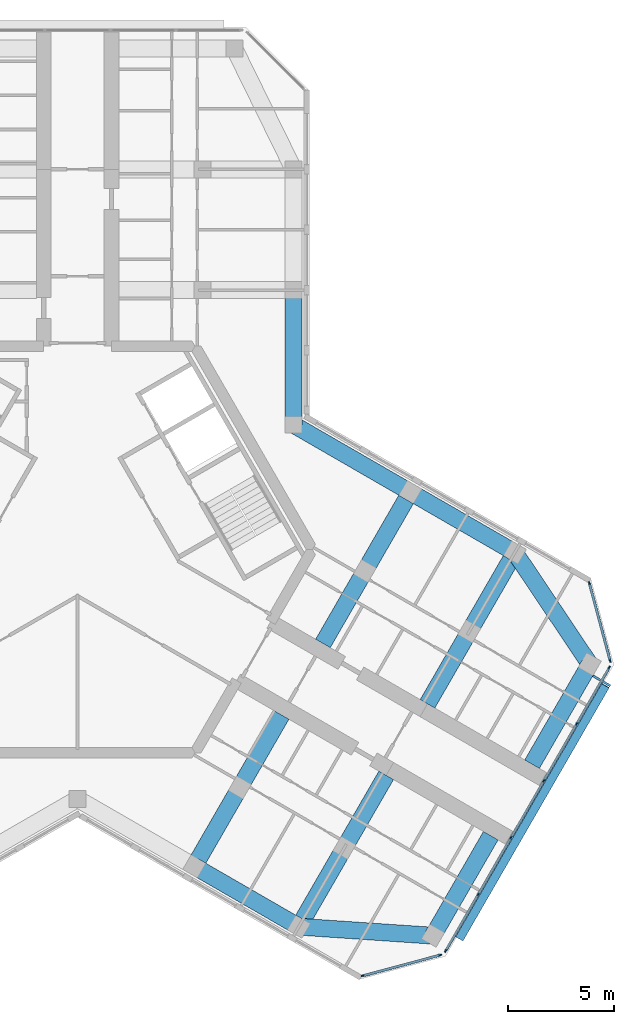
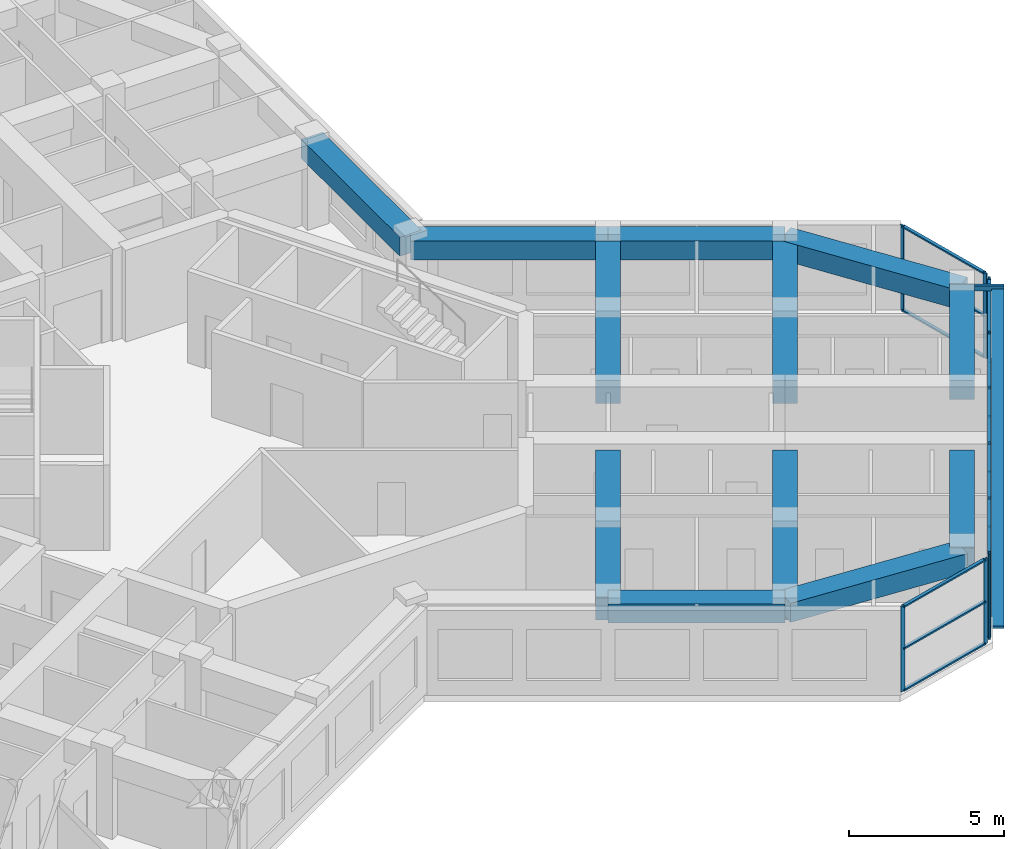
# One storey, part 4 of 14: 28 members, 12 beams, 3 elements without a shape of their own.
"""IFC4 building model written with IfcOpenShell, lengths in metres."""

import ifcopenshell
import ifcopenshell.guid

model = None  # the IFC model being written
_history = None  # IfcOwnerHistory: only IFC2X3 demands one
_inside = {}  # id of a spatial element -> (the spatial element, [elements in it])
_under = {}  # id of a project, library or spatial element -> (it, [spatial elements below it])
_declared = {}  # id of a project -> (the project, [libraries it declares])
_typed = {}  # id of a type object -> (the type object, [elements of that type])
_made_of = {}  # id of a material, layer set ... -> (it, [elements and type objects made of it])


def new_model(schema):
    """Start an empty IFC model of exactly this schema.

    Asked for "IFC4X3", IfcOpenShell would pick the latest addendum, in which some entities
    have other attributes; the version numbers below select the first issue.
    IFC2X3 requires an IfcOwnerHistory on every rooted entity: one is made here for all.
    """
    global model, _history
    if schema == "IFC4X3":
        model = ifcopenshell.file(schema_version=(4, 3, 0, 0))
    else:
        model = ifcopenshell.file(schema=schema)
    _inside.clear()
    _under.clear()
    _declared.clear()
    _typed.clear()
    _made_of.clear()
    _history = None
    if model.schema == "IFC2X3":
        org = make("IfcOrganization", Name="unknown")
        user = make(
            "IfcPersonAndOrganization",
            ThePerson=make("IfcPerson", FamilyName="unknown"),
            TheOrganization=org,
        )
        app = make(
            "IfcApplication",
            ApplicationDeveloper=org,
            Version="unknown",
            ApplicationFullName="unknown",
            ApplicationIdentifier="unknown",
        )
        _history = make(
            "IfcOwnerHistory",
            OwningUser=user,
            OwningApplication=app,
            ChangeAction="ADDED",
            CreationDate=0,
        )
    return model


def make(cls, **values):
    """One entity of the class cls with the attributes given. An attribute that is None is left unset."""
    return model.create_entity(
        cls, **{name: value for name, value in values.items() if value is not None}
    )


def rooted(cls, **values):
    """An entity with a GlobalId (a new one), such as an element, a storey or a relation."""
    return make(cls, GlobalId=ifcopenshell.guid.new(), OwnerHistory=_history, **values)


def si_unit(unit_type, name, prefix=None):
    """IfcSIUnit, for example si_unit("LENGTHUNIT", "METRE", prefix="MILLI")."""
    return make("IfcSIUnit", UnitType=unit_type, Prefix=prefix, Name=name)


def assignment(units):
    """IfcUnitAssignment: the units of a project."""
    return None if units is None else make("IfcUnitAssignment", Units=units)


def point(xyz):
    """IfcCartesianPoint."""
    return None if xyz is None else make("IfcCartesianPoint", Coordinates=xyz)


def direction(xyz):
    """IfcDirection."""
    return None if xyz is None else make("IfcDirection", DirectionRatios=xyz)


def frame(location, z_axis=None, x_axis=None):
    """IfcAxis2Placement3D, a coordinate frame: its origin and axes. An axis left out is left unset."""
    return make(
        "IfcAxis2Placement3D",
        Location=point(location),
        Axis=direction(z_axis),
        RefDirection=direction(x_axis),
    )


def frame_2d(location, x_axis=None):
    """IfcAxis2Placement2D, a coordinate frame in the plane: its origin and x axis."""
    return make(
        "IfcAxis2Placement2D", Location=point(location), RefDirection=direction(x_axis)
    )


def origin():
    """The frame at (0, 0, 0) with its axes left unset."""
    return frame((0.0, 0.0, 0.0))


def origin_2d():
    """The frame at (0, 0) in the plane with its x axis left unset."""
    return frame_2d((0.0, 0.0))


def place(relative_to, where):
    """IfcLocalPlacement: puts the frame where relative to a parent placement (None: the world)."""
    return make(
        "IfcLocalPlacement", PlacementRelTo=relative_to, RelativePlacement=where
    )


def context(
    kind, dimensions, precision=None, world=None, true_north=None, identifier=None
):
    """IfcGeometricRepresentationContext, for example the 3D "Model" context."""
    return make(
        "IfcGeometricRepresentationContext",
        ContextIdentifier=identifier,
        ContextType=kind,
        CoordinateSpaceDimension=dimensions,
        Precision=precision,
        WorldCoordinateSystem=world,
        TrueNorth=true_north,
    )


def subcontext(parent, identifier, kind, view, scale=None):
    """IfcGeometricRepresentationSubContext, for example "Body" below "Model"."""
    return make(
        "IfcGeometricRepresentationSubContext",
        ContextIdentifier=identifier,
        ContextType=kind,
        ParentContext=parent,
        TargetScale=scale,
        TargetView=view,
    )


def project(units=None, contexts=None):
    """IfcProject with its units and contexts."""
    return rooted(
        "IfcProject",
        Name="project",
        RepresentationContexts=contexts,
        UnitsInContext=assignment(units),
    )


def spatial(cls, under=None, at=None, **own):
    """A site, building, storey or space (cls), placed at a placement, below another one or the project."""
    s = rooted(cls, ObjectPlacement=at, **own)
    if under is not None:
        _under.setdefault(under.id(), (under, []))[1].append(s)
    return s


def profile(cls, at=None, kind="AREA", **sizes):
    """A parametric profile (cls). Its sizes go by their IFC names, for example OverallWidth=200.0."""
    return make(cls, ProfileType=kind, Position=at, **sizes)


def rectangle(**sizes):
    """IfcRectangleProfileDef."""
    return profile("IfcRectangleProfileDef", **sizes)


def hollow_rectangle(**sizes):
    """IfcRectangleHollowProfileDef."""
    return profile("IfcRectangleHollowProfileDef", **sizes)


def extrude(swept, where, along, depth):
    """IfcExtrudedAreaSolid: the profile swept, set in the frame where, extruded along a direction by depth."""
    return make(
        "IfcExtrudedAreaSolid",
        SweptArea=swept,
        Position=where,
        ExtrudedDirection=direction(along),
        Depth=depth,
    )


def shape(context_of_items, identifier, shape_type, items):
    """IfcShapeRepresentation: the items that make up one representation, for example the "Body"."""
    return make(
        "IfcShapeRepresentation",
        ContextOfItems=context_of_items,
        RepresentationIdentifier=identifier,
        RepresentationType=shape_type,
        Items=items,
    )


def material(Name=None, Category=None):
    """IfcMaterial."""
    return make("IfcMaterial", Name=Name, Category=Category)


def material_profile(
    of_material, cross_section, Name=None, Category=None, Priority=None
):
    """IfcMaterialProfile: a cross section and its material."""
    return make(
        "IfcMaterialProfile",
        Name=Name,
        Material=of_material,
        Profile=cross_section,
        Priority=Priority,
        Category=Category,
    )


def profile_set(profiles, Name=None, composite=None):
    """IfcMaterialProfileSet."""
    return make(
        "IfcMaterialProfileSet",
        Name=Name,
        MaterialProfiles=profiles,
        CompositeProfile=composite,
    )


def made_of(thing, what):
    """Note that an element or type object is made of a material, layer set ...; save() writes the relation."""
    if what is not None:
        _made_of.setdefault(what.id(), (what, []))[1].append(thing)
    return thing


def type_object(cls, material=None, **own):
    """A type object (cls), such as IfcWallType, which elements share."""
    return made_of(rooted(cls, **own), material)


def element(
    cls,
    number,
    at=None,
    inside=None,
    cuts=None,
    type_object=None,
    material=None,
    context=None,
    identifier="Body",
    shape_type=None,
    held_by="IfcProductDefinitionShape",
    body=None,
    shapes=None,
    **own,
):
    """One element of the class cls, such as IfcWall. Its Tag is "e" and its number.

    at: its placement. inside: the storey or other place that contains it. cuts: it is an
    opening in that element (IfcRelVoidsElement). A single representation is given by context,
    identifier, shape_type and body (its items); several are given by shapes. held_by: the class
    of the entity that holds the representations. save() writes the other relations.
    """
    e = rooted(cls, Tag="e%d" % number, ObjectPlacement=at, **own)
    if body is not None:
        shapes = [shape(context, identifier, shape_type, body)]
    if shapes is not None:
        e.Representation = make(held_by, Representations=shapes)
    if inside is not None:
        _inside.setdefault(inside.id(), (inside, []))[1].append(e)
    if cuts is not None:
        rooted(
            "IfcRelVoidsElement", RelatingBuildingElement=cuts, RelatedOpeningElement=e
        )
    if type_object is not None:
        _typed.setdefault(type_object.id(), (type_object, []))[1].append(e)
    return made_of(e, material)


def aggregate(whole, parts):
    """IfcRelAggregates: a whole, such as a stair, and the parts it consists of."""
    return rooted("IfcRelAggregates", RelatingObject=whole, RelatedObjects=parts)


def save(model, path):
    """Write the relations noted so far, then the file.

    IfcRelAggregates (storeys below a building ...), IfcRelContainedInSpatialStructure (elements
    in a storey), IfcRelDefinesByType, IfcRelAssociatesMaterial and IfcRelDeclares: one each for
    every whole, place, type object, material and project.
    """
    for whole, parts in _under.values():
        aggregate(whole, parts)
    for where, things in _inside.values():
        rooted(
            "IfcRelContainedInSpatialStructure",
            RelatedElements=things,
            RelatingStructure=where,
        )
    for kind, things in _typed.values():
        rooted("IfcRelDefinesByType", RelatedObjects=things, RelatingType=kind)
    for what, things in _made_of.values():
        rooted("IfcRelAssociatesMaterial", RelatedObjects=things, RelatingMaterial=what)
    for by, libraries in _declared.values():
        rooted("IfcRelDeclares", RelatingContext=by, RelatedDefinitions=libraries)
    model.write(path)


model = new_model("IFC4")

# Units and contexts
model_context = context("Model", 3, precision=1e-05, world=origin(), true_north=direction((0.0, 1.0)))
body_context = subcontext(model_context, "Body", "Model", "MODEL_VIEW")
ifc_project = project(units=[si_unit("LENGTHUNIT", "METRE"), si_unit("AREAUNIT", "SQUARE_METRE"), si_unit("VOLUMEUNIT", "CUBIC_METRE"), si_unit("PLANEANGLEUNIT", "RADIAN"), si_unit("MASSUNIT", "GRAM", prefix="KILO")], contexts=[model_context])

# Site, building, storey
site_placement = place(None, origin())
site = spatial("IfcSite", under=ifc_project, at=site_placement, CompositionType="ELEMENT")
building_placement = place(site_placement, origin())
building = spatial("IfcBuilding", under=site, at=building_placement, Name="Kosmar Iwan School Tower", CompositionType="ELEMENT")
storey_placement = place(building_placement, frame((0.0, 0.0, 292.60009765625)))
storey = spatial("IfcBuildingStorey", under=building, at=storey_placement, Name="L74", CompositionType="ELEMENT", Elevation=292.60009765625)

# Members
ifc_material_1 = material(Name="Black anodised aluminium", Category="aluminium")
ifc_material_profile_1 = material_profile(ifc_material_1, rectangle(XDim=0.10009765625, YDim=0.39990234375, at=origin_2d()), Name="FIN 100x400")
ifc_profile_set_1 = profile_set([ifc_material_profile_1], Name="Black anodised aluminium")
member_type_1 = type_object("IfcMemberType", Name="Diagonal fin 100x400", PredefinedType="USERDEFINED", material=ifc_profile_set_1)
member_1_placement = place(storey_placement, frame((18.0283203125, -18.3740234375, -0.150146484375), z_axis=(0.483800388566, 0.837965217343, 0.2524905514), x_axis=(-0.126245460598, -0.218663124976, 0.96759935999)))
element("IfcMember", 1, at=member_1_placement, inside=storey, type_object=member_type_1, Name="Diagonal fin L74-F03", ObjectType="FIN", PredefinedType="USERDEFINED", context=body_context, shape_type="SweptSolid", body=[
    extrude(rectangle(XDim=0.10009765625, YDim=0.39990234375, at=origin_2d()), origin(), (0.0, 0.0, 1.0), 14.25830078125),
])
ifc_material_2 = material(Name="Steel S355", Category="steel")
ifc_material_profile_2 = material_profile(ifc_material_2, hollow_rectangle(XDim=0.10009765625, YDim=0.199951171875, WallThickness=0.008056640625, at=origin_2d()), Name="RHS 200x100x8")
ifc_profile_set_2 = profile_set([ifc_material_profile_2], Name="Steel S355")
member_type_2 = type_object("IfcMemberType", Name="Fin bracket RHS 200x100", PredefinedType="USERDEFINED", material=ifc_profile_set_2)
member_2_placement = place(storey_placement, frame((24.327880859375, -5.962890625, 3.474853515625), z_axis=(0.866100000774, -0.49987077196, 0.0), x_axis=(0.49987077196, 0.866100000774, 0.0)))
element("IfcMember", 2, at=member_2_placement, inside=storey, type_object=member_type_2, Name="Fin bracket L75", ObjectType="FIN BRACKET", PredefinedType="USERDEFINED", context=body_context, shape_type="SweptSolid", body=[
    extrude(hollow_rectangle(XDim=0.10009765625, YDim=0.199951171875, WallThickness=0.008056640625, at=origin_2d()), origin(), (0.0, 0.0, 1.0), 0.949951171875),
])

# Curtain wall, members
ifc_material_3 = material(Name="Dark glass in black aluminium frame", Category="aluminium")
curtain_wall_type_1 = type_object("IfcCurtainWallType", Name="Chamfer curtain wall dark glass", PredefinedType="USERDEFINED", material=ifc_material_3)
curtain_wall_1_placement = place(storey_placement, origin())
curtain_wall_1 = element("IfcCurtainWall", 3, at=curtain_wall_1_placement, inside=storey, type_object=curtain_wall_type_1, Name="Curtain wall L74-F02", ObjectType="FACETED CURTAIN WALL", PredefinedType="USERDEFINED")
ifc_material_4 = material(Name="Black anodised aluminium", Category="aluminium")
ifc_material_profile_3 = material_profile(ifc_material_4, rectangle(XDim=0.06005859375, YDim=0.159912109375, at=origin_2d()), Name="MULLION 60x160")
ifc_profile_set_3 = profile_set([ifc_material_profile_3], Name="Black anodised aluminium")
member_type_3 = type_object("IfcMemberType", Name="Mullion 60x160", PredefinedType="MULLION", material=ifc_profile_set_3)
member_3_placement = place(storey_placement, frame((13.466064453125, -20.127197265625, 0.0), z_axis=(0.0, 0.0, 1.0), x_axis=(-0.258818861462, 0.965925875495, 0.0)))
member_3 = element("IfcMember", 4, at=member_3_placement, type_object=member_type_3, Name="CW2 mullion 1", PredefinedType="MULLION", context=body_context, shape_type="SweptSolid", body=[
    extrude(rectangle(XDim=0.06005859375, YDim=0.159912109375, at=origin_2d()), origin(), (0.0, 0.0, 1.0), 3.349853515625),
])
member_4_placement = place(storey_placement, frame((17.1162109375, -19.149169921875, 0.0), z_axis=(0.0, 0.0, 1.0), x_axis=(-0.258818861462, 0.965925875495, 0.0)))
member_4 = element("IfcMember", 5, at=member_4_placement, type_object=member_type_3, Name="CW2 mullion 2", PredefinedType="MULLION", context=body_context, shape_type="SweptSolid", body=[
    extrude(rectangle(XDim=0.06005859375, YDim=0.159912109375, at=origin_2d()), origin(), (0.0, 0.0, 1.0), 3.349853515625),
])

ifc_material_5 = material(Name="Dark glass in black aluminium frame", Category="aluminium")
curtain_wall_type_2 = type_object("IfcCurtainWallType", Name="Tower curtain wall dark glass", PredefinedType="USERDEFINED", material=ifc_material_5)
curtain_wall_2_placement = place(storey_placement, origin())
curtain_wall_2 = element("IfcCurtainWall", 6, at=curtain_wall_2_placement, inside=storey, type_object=curtain_wall_type_2, Name="Curtain wall L74-F03", ObjectType="UNITISED CURTAIN WALL", PredefinedType="USERDEFINED")
member_5_placement = place(storey_placement, frame((17.380126953125, -18.94677734375, 0.0), z_axis=(0.0, 0.0, 1.0), x_axis=(-0.866025405329, 0.499999997325, 0.0)))
member_5 = element("IfcMember", 7, at=member_5_placement, type_object=member_type_3, Name="CW1 mullion 1", PredefinedType="MULLION", context=body_context, shape_type="SweptSolid", body=[
    extrude(rectangle(XDim=0.06005859375, YDim=0.159912109375, at=origin_2d()), origin(), (0.0, 0.0, 1.0), 3.349853515625),
])
member_6_placement = place(storey_placement, frame((18.914794921875, -16.28857421875, 0.0), z_axis=(0.0, 0.0, 1.0), x_axis=(-0.866025405329, 0.499999997325, 0.0)))
member_6 = element("IfcMember", 8, at=member_6_placement, type_object=member_type_3, Name="CW1 mullion 2", PredefinedType="MULLION", context=body_context, shape_type="SweptSolid", body=[
    extrude(rectangle(XDim=0.06005859375, YDim=0.159912109375, at=origin_2d()), origin(), (0.0, 0.0, 1.0), 3.349853515625),
])
member_7_placement = place(storey_placement, frame((20.46435546875, -13.6044921875, 0.0), z_axis=(0.0, 0.0, 1.0), x_axis=(-0.866025405329, 0.499999997325, 0.0)))
member_7 = element("IfcMember", 9, at=member_7_placement, type_object=member_type_3, Name="CW1 mullion 3", PredefinedType="MULLION", context=body_context, shape_type="SweptSolid", body=[
    extrude(rectangle(XDim=0.06005859375, YDim=0.159912109375, at=origin_2d()), origin(), (0.0, 0.0, 1.0), 3.349853515625),
])
member_8_placement = place(storey_placement, frame((22.01416015625, -10.92041015625, 0.0), z_axis=(0.0, 0.0, 1.0), x_axis=(-0.866025405329, 0.499999997325, 0.0)))
member_8 = element("IfcMember", 10, at=member_8_placement, type_object=member_type_3, Name="CW1 mullion 4", PredefinedType="MULLION", context=body_context, shape_type="SweptSolid", body=[
    extrude(rectangle(XDim=0.06005859375, YDim=0.159912109375, at=origin_2d()), origin(), (0.0, 0.0, 1.0), 3.349853515625),
])
member_9_placement = place(storey_placement, frame((23.563720703125, -8.236328125, 0.0), z_axis=(0.0, 0.0, 1.0), x_axis=(-0.866025405329, 0.499999997325, 0.0)))
member_9 = element("IfcMember", 11, at=member_9_placement, type_object=member_type_3, Name="CW1 mullion 5", PredefinedType="MULLION", context=body_context, shape_type="SweptSolid", body=[
    extrude(rectangle(XDim=0.06005859375, YDim=0.159912109375, at=origin_2d()), origin(), (0.0, 0.0, 1.0), 3.349853515625),
])
member_10_placement = place(storey_placement, frame((25.098388671875, -5.578369140625, 0.0), z_axis=(0.0, 0.0, 1.0), x_axis=(-0.866025405329, 0.499999997325, 0.0)))
member_10 = element("IfcMember", 12, at=member_10_placement, type_object=member_type_3, Name="CW1 mullion 6", PredefinedType="MULLION", context=body_context, shape_type="SweptSolid", body=[
    extrude(rectangle(XDim=0.06005859375, YDim=0.159912109375, at=origin_2d()), origin(), (0.0, 0.0, 1.0), 3.349853515625),
])

curtain_wall_3_placement = place(storey_placement, origin())
curtain_wall_3 = element("IfcCurtainWall", 13, at=curtain_wall_3_placement, inside=storey, type_object=curtain_wall_type_1, Name="Curtain wall L74-F04", ObjectType="FACETED CURTAIN WALL", PredefinedType="USERDEFINED")
member_11_placement = place(storey_placement, frame((25.141845703125, -5.24853515625, 0.0), z_axis=(0.0, 0.0, 1.0), x_axis=(-0.965925875495, -0.258818861462, 0.0)))
member_11 = element("IfcMember", 14, at=member_11_placement, type_object=member_type_3, Name="CW2 mullion 1", PredefinedType="MULLION", context=body_context, shape_type="SweptSolid", body=[
    extrude(rectangle(XDim=0.06005859375, YDim=0.159912109375, at=origin_2d()), origin(), (0.0, 0.0, 1.0), 3.349853515625),
])
member_12_placement = place(storey_placement, frame((24.163818359375, -1.59814453125, 0.0), z_axis=(0.0, 0.0, 1.0), x_axis=(-0.965925875495, -0.258818861462, 0.0)))
member_12 = element("IfcMember", 15, at=member_12_placement, type_object=member_type_3, Name="CW2 mullion 2", PredefinedType="MULLION", context=body_context, shape_type="SweptSolid", body=[
    extrude(rectangle(XDim=0.06005859375, YDim=0.159912109375, at=origin_2d()), origin(), (0.0, 0.0, 1.0), 3.349853515625),
])

# Beams
ifc_material_6 = material(Name="Concrete C50/60", Category="concrete")
ifc_material_profile_4 = material_profile(ifc_material_6, rectangle(XDim=0.800048828125, YDim=0.75, at=origin_2d()), Name="RC 800x750")
ifc_profile_set_4 = profile_set([ifc_material_profile_4], Name="Concrete C50/60")
beam_type_1 = type_object("IfcBeamType", Name="RC edge beam 800x750", PredefinedType="BEAM", material=ifc_profile_set_4)
beam_1_placement = place(storey_placement, frame((10.199951171875, 5.888916015625, 2.974853515625), z_axis=(0.0, 1.0, 0.0), x_axis=(-1.0, 0.0, 0.0)))
element("IfcBeam", 16, at=beam_1_placement, inside=storey, type_object=beam_type_1, Name="Edge beam AR1", PredefinedType="BEAM", context=body_context, shape_type="SweptSolid", body=[
    extrude(rectangle(XDim=0.800048828125, YDim=0.75, at=origin_2d()), origin(), (0.0, 0.0, 1.0), 6.361083984375),
])
beam_2_placement = place(storey_placement, frame((10.199951171875, 5.888916015625, 2.974853515625), z_axis=(0.866030912664, -0.49999045822, 0.0), x_axis=(0.49999045822, 0.866030912664, 0.0)))
element("IfcBeam", 17, at=beam_2_placement, inside=storey, type_object=beam_type_1, Name="Edge beam CL1", PredefinedType="BEAM", context=body_context, shape_type="SweptSolid", body=[
    extrude(rectangle(XDim=0.800048828125, YDim=0.75, at=origin_2d()), origin(), (0.0, 0.0, 1.0), 6.36083984375),
])
beam_3_placement = place(storey_placement, frame((15.708740234375, 2.70849609375, 2.974853515625), z_axis=(0.866025820012, -0.499999279071, 0.0), x_axis=(0.499999279071, 0.866025820012, 0.0)))
element("IfcBeam", 18, at=beam_3_placement, inside=storey, type_object=beam_type_1, Name="Edge beam CL2", PredefinedType="BEAM", context=body_context, shape_type="SweptSolid", body=[
    extrude(rectangle(XDim=0.800048828125, YDim=0.75, at=origin_2d()), origin(), (0.0, 0.0, 1.0), 5.7001953125),
])
beam_4_placement = place(storey_placement, frame((5.5087890625, -14.95849609375, 2.974853515625), z_axis=(0.866033658841, -0.49998570155, 0.0), x_axis=(0.49998570155, 0.866033658841, 0.0)))
element("IfcBeam", 19, at=beam_4_placement, inside=storey, type_object=beam_type_1, Name="Edge beam CR2", PredefinedType="BEAM", context=body_context, shape_type="SweptSolid", body=[
    extrude(rectangle(XDim=0.800048828125, YDim=0.75, at=origin_2d()), origin(), (0.0, 0.0, 1.0), 5.699951171875),
])
ifc_material_7 = material(Name="Concrete C50/60", Category="concrete")
ifc_material_profile_5 = material_profile(ifc_material_7, rectangle(XDim=0.800048828125, YDim=0.75, at=origin_2d()), Name="RC 800x750")
ifc_profile_set_5 = profile_set([ifc_material_profile_5], Name="Concrete C50/60")
beam_type_2 = type_object("IfcBeamType", Name="RC tip beam 800x750", PredefinedType="BEAM", material=ifc_profile_set_5)
beam_5_placement = place(storey_placement, frame((20.645263671875, -0.1416015625, 2.974853515625), z_axis=(0.556827604145, -0.83062808721, 0.0), x_axis=(0.83062808721, 0.556827604145, 0.0)))
element("IfcBeam", 20, at=beam_5_placement, inside=storey, type_object=beam_type_2, Name="Tip beam CL", PredefinedType="BEAM", context=body_context, shape_type="SweptSolid", body=[
    extrude(rectangle(XDim=0.800048828125, YDim=0.75, at=origin_2d()), origin(), (0.0, 0.0, 1.0), 6.3505859375),
])
beam_6_placement = place(storey_placement, frame((24.181396484375, -5.41650390625, 2.974853515625), z_axis=(-0.499988730927, -0.866031909889, 0.0), x_axis=(0.866031909889, -0.499988730927, 0.0)))
element("IfcBeam", 21, at=beam_6_placement, inside=storey, type_object=beam_type_2, Name="Tip beam CL to corridor wall", PredefinedType="BEAM", context=body_context, shape_type="SweptSolid", body=[
    extrude(rectangle(XDim=0.800048828125, YDim=0.75, at=origin_2d()), origin(), (0.0, 0.0, 1.0), 5.449951171875),
])
beam_7_placement = place(storey_placement, frame((10.445068359375, -17.808349609375, 2.974853515625), z_axis=(0.997755118724, -0.066968074933, 0.0), x_axis=(0.066968074933, 0.997755118724, 0.0)))
element("IfcBeam", 22, at=beam_7_placement, inside=storey, type_object=beam_type_2, Name="Tip beam CR", PredefinedType="BEAM", context=body_context, shape_type="SweptSolid", body=[
    extrude(rectangle(XDim=0.800048828125, YDim=0.75, at=origin_2d()), origin(), (0.0, 0.0, 1.0), 6.3505859375),
])
beam_8_placement = place(storey_placement, frame((16.781494140625, -18.233642578125, 2.974853515625), z_axis=(0.500002931134, 0.866023711487, 0.0), x_axis=(-0.866023711487, 0.500002931134, 0.0)))
element("IfcBeam", 23, at=beam_8_placement, inside=storey, type_object=beam_type_2, Name="Tip beam CR to corridor wall", PredefinedType="BEAM", context=body_context, shape_type="SweptSolid", body=[
    extrude(rectangle(XDim=0.800048828125, YDim=0.75, at=origin_2d()), origin(), (0.0, 0.0, 1.0), 5.4501953125),
])
ifc_material_8 = material(Name="Concrete C50/60", Category="concrete")
ifc_material_profile_6 = material_profile(ifc_material_8, rectangle(XDim=0.800048828125, YDim=0.89990234375, at=origin_2d()), Name="RC 800x900")
ifc_profile_set_6 = profile_set([ifc_material_profile_6], Name="Concrete C50/60")
beam_type_3 = type_object("IfcBeamType", Name="RC transverse beam 800x900", PredefinedType="BEAM", material=ifc_profile_set_6)
beam_9_placement = place(storey_placement, frame((15.708740234375, 2.70849609375, 2.89990234375), z_axis=(-0.499996545922, -0.866027397988, 0.0), x_axis=(0.866027397988, -0.499996545922, 0.0)))
element("IfcBeam", 24, at=beam_9_placement, inside=storey, type_object=beam_type_3, Name="Transverse beam CL1", PredefinedType="BEAM", context=body_context, shape_type="SweptSolid", body=[
    extrude(rectangle(XDim=0.800048828125, YDim=0.89990234375, at=origin_2d()), origin(), (0.0, 0.0, 1.0), 8.25),
])
beam_10_placement = place(storey_placement, frame((20.645263671875, -0.1416015625, 2.89990234375), z_axis=(-0.500009360108, -0.866019999656, 0.0), x_axis=(0.866019999656, -0.500009360108, 0.0)))
element("IfcBeam", 25, at=beam_10_placement, inside=storey, type_object=beam_type_3, Name="Transverse beam CL2", PredefinedType="BEAM", context=body_context, shape_type="SweptSolid", body=[
    extrude(rectangle(XDim=0.800048828125, YDim=0.89990234375, at=origin_2d()), origin(), (0.0, 0.0, 1.0), 8.249755859375),
])
beam_11_placement = place(storey_placement, frame((5.5087890625, -14.95849609375, 2.89990234375), z_axis=(0.499996545922, 0.866027397988, 0.0), x_axis=(-0.866027397988, 0.499996545922, 0.0)))
element("IfcBeam", 26, at=beam_11_placement, inside=storey, type_object=beam_type_3, Name="Transverse beam CR1", PredefinedType="BEAM", context=body_context, shape_type="SweptSolid", body=[
    extrude(rectangle(XDim=0.800048828125, YDim=0.89990234375, at=origin_2d()), origin(), (0.0, 0.0, 1.0), 8.25),
])
beam_12_placement = place(storey_placement, frame((10.445068359375, -17.808349609375, 2.89990234375), z_axis=(0.500009360108, 0.866019999656, 0.0), x_axis=(-0.866019999656, 0.500009360108, 0.0)))
element("IfcBeam", 27, at=beam_12_placement, inside=storey, type_object=beam_type_3, Name="Transverse beam CR2", PredefinedType="BEAM", context=body_context, shape_type="SweptSolid", body=[
    extrude(rectangle(XDim=0.800048828125, YDim=0.89990234375, at=origin_2d()), origin(), (0.0, 0.0, 1.0), 8.249755859375),
])

# Member
ifc_material_9 = material(Name="Black anodised aluminium", Category="aluminium")
ifc_material_profile_7 = material_profile(ifc_material_9, rectangle(XDim=0.1201171875, YDim=0.06005859375, at=origin_2d()), Name="TRANSOM 60x120")
ifc_profile_set_7 = profile_set([ifc_material_profile_7], Name="Black anodised aluminium")
member_type_4 = type_object("IfcMemberType", Name="Transom 60x120", PredefinedType="USERDEFINED", material=ifc_profile_set_7)
member_13_placement = place(storey_placement, frame((13.494873046875, -20.119384765625, 0.02978515625), z_axis=(0.965940141052, 0.258765615768, 0.0), x_axis=(-0.258765615768, 0.965940141052, 0.0)))
member_13 = element("IfcMember", 28, at=member_13_placement, type_object=member_type_4, Name="CW2 transom 1.1", ObjectType="TRANSOM", PredefinedType="USERDEFINED", context=body_context, shape_type="SweptSolid", body=[
    extrude(rectangle(XDim=0.1201171875, YDim=0.06005859375, at=origin_2d()), origin(), (0.0, 0.0, 1.0), 3.71923828125),
])

member_14_placement = place(storey_placement, frame((13.494873046875, -20.119384765625, 1.6748046875), z_axis=(0.965940141052, 0.258765615768, 0.0), x_axis=(-0.258765615768, 0.965940141052, 0.0)))
member_14 = element("IfcMember", 29, at=member_14_placement, type_object=member_type_4, Name="CW2 transom 1.2", ObjectType="TRANSOM", PredefinedType="USERDEFINED", context=body_context, shape_type="SweptSolid", body=[
    extrude(rectangle(XDim=0.1201171875, YDim=0.06005859375, at=origin_2d()), origin(), (0.0, 0.0, 1.0), 3.71923828125),
])

member_15_placement = place(storey_placement, frame((13.494873046875, -20.119384765625, 3.31982421875), z_axis=(0.965940141052, 0.258765615768, 0.0), x_axis=(-0.258765615768, 0.965940141052, 0.0)))
member_15 = element("IfcMember", 30, at=member_15_placement, type_object=member_type_4, Name="CW2 transom 1.3", ObjectType="TRANSOM", PredefinedType="USERDEFINED", context=body_context, shape_type="SweptSolid", body=[
    extrude(rectangle(XDim=0.1201171875, YDim=0.06005859375, at=origin_2d()), origin(), (0.0, 0.0, 1.0), 3.71923828125),
])

aggregate(curtain_wall_1, [member_3, member_4, member_13, member_14, member_15])

member_16_placement = place(storey_placement, frame((17.395263671875, -18.920654296875, 0.02978515625), z_axis=(0.500022102064, 0.866012642776, 0.0), x_axis=(-0.866012642776, 0.500022102064, 0.0)))
member_16 = element("IfcMember", 31, at=member_16_placement, type_object=member_type_4, Name="CW1 transom 1.1", ObjectType="TRANSOM", PredefinedType="USERDEFINED", context=body_context, shape_type="SweptSolid", body=[
    extrude(rectangle(XDim=0.1201171875, YDim=0.06005859375, at=origin_2d()), origin(), (0.0, 0.0, 1.0), 3.009033203125),
])

member_17_placement = place(storey_placement, frame((17.395263671875, -18.920654296875, 3.31982421875), z_axis=(0.500022102064, 0.866012642776, 0.0), x_axis=(-0.866012642776, 0.500022102064, 0.0)))
member_17 = element("IfcMember", 32, at=member_17_placement, type_object=member_type_4, Name="CW1 transom 1.2", ObjectType="TRANSOM", PredefinedType="USERDEFINED", context=body_context, shape_type="SweptSolid", body=[
    extrude(rectangle(XDim=0.1201171875, YDim=0.06005859375, at=origin_2d()), origin(), (0.0, 0.0, 1.0), 3.009033203125),
])

member_18_placement = place(storey_placement, frame((18.9296875, -16.2626953125, 0.02978515625), z_axis=(0.500035348339, 0.866004994449, 0.0), x_axis=(-0.866004994449, 0.500035348339, 0.0)))
member_18 = element("IfcMember", 33, at=member_18_placement, type_object=member_type_4, Name="CW1 transom 2.1", ObjectType="TRANSOM", PredefinedType="USERDEFINED", context=body_context, shape_type="SweptSolid", body=[
    extrude(rectangle(XDim=0.1201171875, YDim=0.06005859375, at=origin_2d()), origin(), (0.0, 0.0, 1.0), 3.039306640625),
])

member_19_placement = place(storey_placement, frame((18.9296875, -16.2626953125, 3.31982421875), z_axis=(0.500035348339, 0.866004994449, 0.0), x_axis=(-0.866004994449, 0.500035348339, 0.0)))
member_19 = element("IfcMember", 34, at=member_19_placement, type_object=member_type_4, Name="CW1 transom 2.2", ObjectType="TRANSOM", PredefinedType="USERDEFINED", context=body_context, shape_type="SweptSolid", body=[
    extrude(rectangle(XDim=0.1201171875, YDim=0.06005859375, at=origin_2d()), origin(), (0.0, 0.0, 1.0), 3.039306640625),
])

member_20_placement = place(storey_placement, frame((20.4794921875, -13.57861328125, 0.02978515625), z_axis=(0.499975102327, 0.866039777986, 0.0), x_axis=(-0.866039777986, 0.499975102327, 0.0)))
member_20 = element("IfcMember", 35, at=member_20_placement, type_object=member_type_4, Name="CW1 transom 3.1", ObjectType="TRANSOM", PredefinedType="USERDEFINED", context=body_context, shape_type="SweptSolid", body=[
    extrude(rectangle(XDim=0.1201171875, YDim=0.06005859375, at=origin_2d()), origin(), (0.0, 0.0, 1.0), 3.039306640625),
])

member_21_placement = place(storey_placement, frame((20.4794921875, -13.57861328125, 3.31982421875), z_axis=(0.499975102327, 0.866039777986, 0.0), x_axis=(-0.866039777986, 0.499975102327, 0.0)))
member_21 = element("IfcMember", 36, at=member_21_placement, type_object=member_type_4, Name="CW1 transom 3.2", ObjectType="TRANSOM", PredefinedType="USERDEFINED", context=body_context, shape_type="SweptSolid", body=[
    extrude(rectangle(XDim=0.1201171875, YDim=0.06005859375, at=origin_2d()), origin(), (0.0, 0.0, 1.0), 3.039306640625),
])

member_22_placement = place(storey_placement, frame((22.029052734375, -10.89453125, 0.02978515625), z_axis=(0.500035348339, 0.866004994449, 0.0), x_axis=(-0.866004994449, 0.500035348339, 0.0)))
member_22 = element("IfcMember", 37, at=member_22_placement, type_object=member_type_4, Name="CW1 transom 4.1", ObjectType="TRANSOM", PredefinedType="USERDEFINED", context=body_context, shape_type="SweptSolid", body=[
    extrude(rectangle(XDim=0.1201171875, YDim=0.06005859375, at=origin_2d()), origin(), (0.0, 0.0, 1.0), 3.039306640625),
])

member_23_placement = place(storey_placement, frame((22.029052734375, -10.89453125, 3.31982421875), z_axis=(0.500035348339, 0.866004994449, 0.0), x_axis=(-0.866004994449, 0.500035348339, 0.0)))
member_23 = element("IfcMember", 38, at=member_23_placement, type_object=member_type_4, Name="CW1 transom 4.2", ObjectType="TRANSOM", PredefinedType="USERDEFINED", context=body_context, shape_type="SweptSolid", body=[
    extrude(rectangle(XDim=0.1201171875, YDim=0.06005859375, at=origin_2d()), origin(), (0.0, 0.0, 1.0), 3.039306640625),
])

member_24_placement = place(storey_placement, frame((23.578857421875, -8.21044921875, 0.02978515625), z_axis=(0.499986971506, 0.866032925658, 0.0), x_axis=(-0.866032925658, 0.499986971506, 0.0)))
member_24 = element("IfcMember", 39, at=member_24_placement, type_object=member_type_4, Name="CW1 transom 5.1", ObjectType="TRANSOM", PredefinedType="USERDEFINED", context=body_context, shape_type="SweptSolid", body=[
    extrude(rectangle(XDim=0.1201171875, YDim=0.06005859375, at=origin_2d()), origin(), (0.0, 0.0, 1.0), 3.00927734375),
])

member_25_placement = place(storey_placement, frame((23.578857421875, -8.21044921875, 3.31982421875), z_axis=(0.499986971506, 0.866032925658, 0.0), x_axis=(-0.866032925658, 0.499986971506, 0.0)))
member_25 = element("IfcMember", 40, at=member_25_placement, type_object=member_type_4, Name="CW1 transom 5.2", ObjectType="TRANSOM", PredefinedType="USERDEFINED", context=body_context, shape_type="SweptSolid", body=[
    extrude(rectangle(XDim=0.1201171875, YDim=0.06005859375, at=origin_2d()), origin(), (0.0, 0.0, 1.0), 3.00927734375),
])

aggregate(curtain_wall_2, [member_5, member_6, member_7, member_8, member_9, member_10, member_16, member_17, member_18, member_19, member_20, member_21, member_22, member_23, member_24, member_25])

member_26_placement = place(storey_placement, frame((25.134033203125, -5.219482421875, 0.02978515625), z_axis=(-0.258843273983, 0.965919333854, 0.0), x_axis=(-0.965919333854, -0.258843273983, 0.0)))
member_26 = element("IfcMember", 41, at=member_26_placement, type_object=member_type_4, Name="CW2 transom 1.1", ObjectType="TRANSOM", PredefinedType="USERDEFINED", context=body_context, shape_type="SweptSolid", body=[
    extrude(rectangle(XDim=0.1201171875, YDim=0.06005859375, at=origin_2d()), origin(), (0.0, 0.0, 1.0), 3.718994140625),
])

member_27_placement = place(storey_placement, frame((25.134033203125, -5.219482421875, 1.6748046875), z_axis=(-0.258843273983, 0.965919333854, 0.0), x_axis=(-0.965919333854, -0.258843273983, 0.0)))
member_27 = element("IfcMember", 42, at=member_27_placement, type_object=member_type_4, Name="CW2 transom 1.2", ObjectType="TRANSOM", PredefinedType="USERDEFINED", context=body_context, shape_type="SweptSolid", body=[
    extrude(rectangle(XDim=0.1201171875, YDim=0.06005859375, at=origin_2d()), origin(), (0.0, 0.0, 1.0), 3.718994140625),
])

member_28_placement = place(storey_placement, frame((25.134033203125, -5.219482421875, 3.31982421875), z_axis=(-0.258843273983, 0.965919333854, 0.0), x_axis=(-0.965919333854, -0.258843273983, 0.0)))
member_28 = element("IfcMember", 43, at=member_28_placement, type_object=member_type_4, Name="CW2 transom 1.3", ObjectType="TRANSOM", PredefinedType="USERDEFINED", context=body_context, shape_type="SweptSolid", body=[
    extrude(rectangle(XDim=0.1201171875, YDim=0.06005859375, at=origin_2d()), origin(), (0.0, 0.0, 1.0), 3.718994140625),
])

aggregate(curtain_wall_3, [member_11, member_12, member_26, member_27, member_28])

save(model, "model.ifc")
